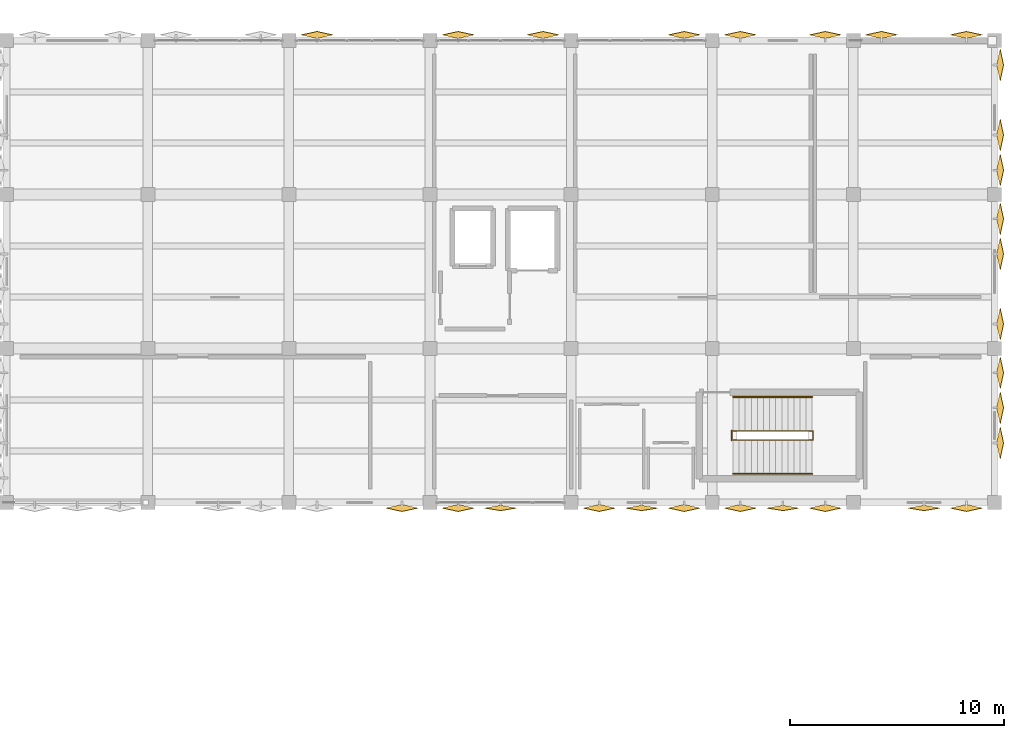
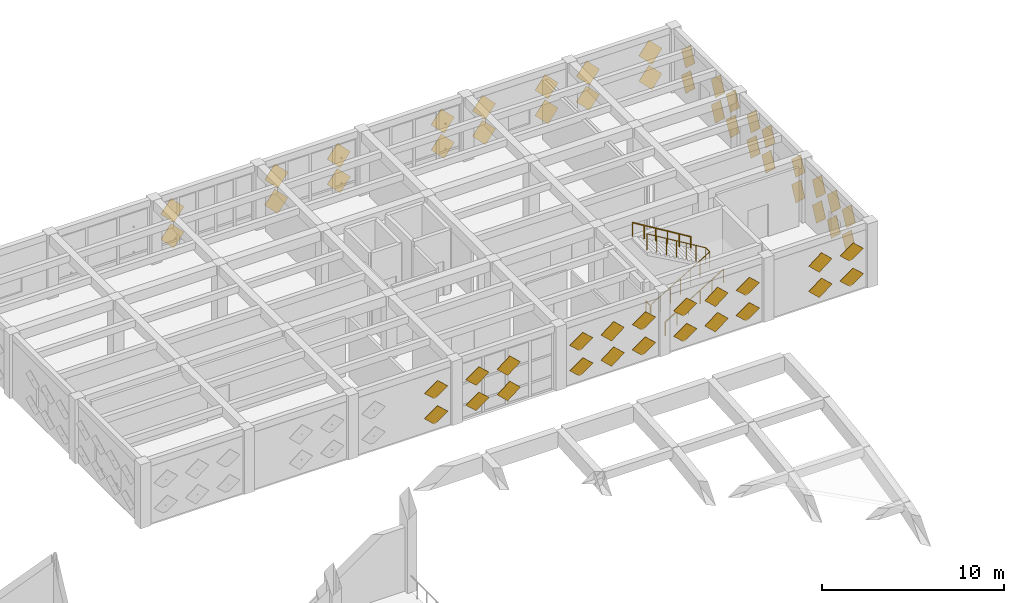
# One storey, part 67 of 67: 56 coverings, 4 railings.
"""IFC4 building model written with IfcOpenShell, lengths in metres."""

from ifc_helpers import new_model, si_unit, direction, frame, origin, origin_2d, place, context, subcontext, project, spatial, polyline, circle, outline, extrude, material, type_object, element, save


model = new_model("IFC4")

# Units and contexts
model_context = context("Model", 3, precision=1e-05, world=origin(), true_north=direction((0.0, 1.0)))
body_context = subcontext(model_context, "Body", "Model", "MODEL_VIEW")
ifc_project = project(units=[si_unit("LENGTHUNIT", "METRE"), si_unit("AREAUNIT", "SQUARE_METRE"), si_unit("VOLUMEUNIT", "CUBIC_METRE"), si_unit("PLANEANGLEUNIT", "RADIAN"), si_unit("MASSUNIT", "GRAM", prefix="KILO")], contexts=[model_context])

# Site, building, storey
site_placement = place(None, origin())
site = spatial("IfcSite", under=ifc_project, at=site_placement, CompositionType="ELEMENT")
building_placement = place(site_placement, origin())
building = spatial("IfcBuilding", under=site, at=building_placement, Name="Kharisveld Research Institute", CompositionType="ELEMENT")
storey_placement = place(building_placement, frame((0.0, 0.0, 9.60009765625)))
storey = spatial("IfcBuildingStorey", under=building, at=storey_placement, Name="L02", CompositionType="ELEMENT", Elevation=9.60009765625)

# Railings
ifc_material_1 = material(Name="Steel S355JR", Category="steel")
railing_type_1 = type_object("IfcRailingType", Name="RL_GRD_STR", PredefinedType="GUARDRAIL", material=ifc_material_1)
railing_1_placement = place(storey_placement, frame((148.570068359375, 42.110107421875, 0.0)))
element("IfcRailing", 1, at=railing_1_placement, inside=storey, type_object=railing_type_1, Name="RLG:ST3:L02:GRD_SLOT", PredefinedType="GUARDRAIL", context=body_context, shape_type="SweptSolid", body=[
    extrude(circle(Radius=0.02392578125, at=origin_2d()), frame((0.0, 0.0, 1.09619140625), z_axis=(0.857182128291, 0.0, 0.515013396853), x_axis=(0.0, 1.0, 0.0)), (0.0, 0.0, 1.0), 4.368896484375),
    extrude(circle(Radius=0.02392578125, at=origin_2d()), frame((3.744873046875, 0.0, 3.34619140625), z_axis=(0.0, 1.0, 0.0), x_axis=(-1.0, 0.0, 0.0)), (0.0, 0.0, 1.0), 0.43994140625),
    extrude(circle(Radius=0.02392578125, at=origin_2d()), frame((3.744873046875, 0.43994140625, 3.34619140625), z_axis=(-0.857182128291, 0.0, 0.515013396853), x_axis=(0.0, -1.0, 0.0)), (0.0, 0.0, 1.0), 4.368896484375),
    extrude(circle(Radius=0.02099609375, at=origin_2d()), origin(), (0.0, 0.0, 1.0), 1.072021484375),
    extrude(circle(Radius=0.02099609375, at=origin_2d()), frame((0.6240234375, 0.0, 0.375)), (0.0, 0.0, 1.0), 1.072021484375),
    extrude(circle(Radius=0.02099609375, at=origin_2d()), frame((1.248291015625, 0.0, 0.75)), (0.0, 0.0, 1.0), 1.072021484375),
    extrude(circle(Radius=0.02099609375, at=origin_2d()), frame((1.87255859375, 0.0, 1.125)), (0.0, 0.0, 1.0), 1.072021484375),
    extrude(circle(Radius=0.02099609375, at=origin_2d()), frame((2.49658203125, 0.0, 1.5)), (0.0, 0.0, 1.0), 1.072021484375),
    extrude(circle(Radius=0.02099609375, at=origin_2d()), frame((3.12060546875, 0.0, 1.875)), (0.0, 0.0, 1.0), 1.072021484375),
    extrude(circle(Radius=0.02099609375, at=origin_2d()), frame((3.744873046875, 0.0, 2.25)), (0.0, 0.0, 1.0), 1.072021484375),
    extrude(circle(Radius=0.02099609375, at=origin_2d()), frame((3.744873046875, 0.43994140625, 2.25)), (0.0, 0.0, 1.0), 1.072021484375),
    extrude(circle(Radius=0.02099609375, at=origin_2d()), frame((3.12060546875, 0.43994140625, 2.625)), (0.0, 0.0, 1.0), 1.072021484375),
    extrude(circle(Radius=0.02099609375, at=origin_2d()), frame((2.49658203125, 0.43994140625, 3.0)), (0.0, 0.0, 1.0), 1.072021484375),
    extrude(circle(Radius=0.02099609375, at=origin_2d()), frame((1.87255859375, 0.43994140625, 3.375)), (0.0, 0.0, 1.0), 1.072021484375),
    extrude(circle(Radius=0.02099609375, at=origin_2d()), frame((1.248291015625, 0.43994140625, 3.75)), (0.0, 0.0, 1.0), 1.072021484375),
    extrude(circle(Radius=0.02099609375, at=origin_2d()), frame((0.6240234375, 0.43994140625, 4.125)), (0.0, 0.0, 1.0), 1.072021484375),
    extrude(circle(Radius=0.02099609375, at=origin_2d()), frame((0.0, 0.43994140625, 4.5)), (0.0, 0.0, 1.0), 1.072021484375),
])
railing_2_placement = place(storey_placement, frame((148.510009765625, 42.110107421875, 0.0)))
element("IfcRailing", 2, at=railing_2_placement, inside=storey, type_object=railing_type_1, Name="RLG:ST3:L02:GRD_FLRSLOT", PredefinedType="GUARDRAIL", context=body_context, shape_type="SweptSolid", body=[
    extrude(circle(Radius=0.02392578125, at=origin_2d()), frame((0.0, 0.0, 1.09619140625), z_axis=(0.0, 1.0, 0.0), x_axis=(-1.0, 0.0, 0.0)), (0.0, 0.0, 1.0), 0.43994140625),
    extrude(circle(Radius=0.02099609375, at=origin_2d()), origin(), (0.0, 0.0, 1.0), 1.072021484375),
    extrude(circle(Radius=0.02099609375, at=origin_2d()), frame((0.0, 0.43994140625, 0.0)), (0.0, 0.0, 1.0), 1.072021484375),
])
ifc_material_2 = material(Name="Stainless Steel 316", Category="steel")
railing_type_2 = type_object("IfcRailingType", Name="RL_HND_STR", PredefinedType="HANDRAIL", material=ifc_material_2)
railing_3_placement = place(storey_placement, frame((148.570068359375, 40.530029296875, 0.0)))
element("IfcRailing", 3, at=railing_3_placement, inside=storey, type_object=railing_type_2, Name="RLG:ST3:L02:HR1", PredefinedType="HANDRAIL", context=body_context, shape_type="SweptSolid", body=[
    extrude(circle(Radius=0.02392578125, at=origin_2d()), frame((0.0, 0.0, 0.89599609375), z_axis=(0.854722365387, 0.0, 0.519085424673), x_axis=(0.0, 1.0, 0.0)), (0.0, 0.0, 1.0), 4.33447265625),
    extrude(circle(Radius=0.02099609375, at=origin_2d()), origin(), (0.0, 0.0, 1.0), 0.871826171875),
    extrude(circle(Radius=0.02099609375, at=origin_2d()), frame((0.740966796875, 0.0, 0.449951171875)), (0.0, 0.0, 1.0), 0.871826171875),
    extrude(circle(Radius=0.02099609375, at=origin_2d()), frame((1.48193359375, 0.0, 0.89990234375)), (0.0, 0.0, 1.0), 0.871826171875),
    extrude(circle(Radius=0.02099609375, at=origin_2d()), frame((2.222900390625, 0.0, 1.35009765625)), (0.0, 0.0, 1.0), 0.871826171875),
    extrude(circle(Radius=0.02099609375, at=origin_2d()), frame((2.9638671875, 0.0, 1.800048828125)), (0.0, 0.0, 1.0), 0.871826171875),
    extrude(circle(Radius=0.02099609375, at=origin_2d()), frame((3.704833984375, 0.0, 2.25)), (0.0, 0.0, 1.0), 0.871826171875),
])
railing_4_placement = place(storey_placement, frame((152.27490234375, 44.1298828125, 2.25)))
element("IfcRailing", 4, at=railing_4_placement, inside=storey, type_object=railing_type_2, Name="RLG:ST3:L02:HR2", PredefinedType="HANDRAIL", context=body_context, shape_type="SweptSolid", body=[
    extrude(circle(Radius=0.02392578125, at=origin_2d()), frame((0.0, 0.0, 0.89599609375), z_axis=(-0.854722365387, 0.0, 0.519085424673), x_axis=(0.0, -1.0, 0.0)), (0.0, 0.0, 1.0), 4.33447265625),
    extrude(circle(Radius=0.02099609375, at=origin_2d()), origin(), (0.0, 0.0, 1.0), 0.871826171875),
    extrude(circle(Radius=0.02099609375, at=origin_2d()), frame((-0.740966796875, 0.0, 0.449951171875)), (0.0, 0.0, 1.0), 0.871826171875),
    extrude(circle(Radius=0.02099609375, at=origin_2d()), frame((-1.48193359375, 0.0, 0.89990234375)), (0.0, 0.0, 1.0), 0.871826171875),
    extrude(circle(Radius=0.02099609375, at=origin_2d()), frame((-2.222900390625, 0.0, 1.35009765625)), (0.0, 0.0, 1.0), 0.871826171875),
    extrude(circle(Radius=0.02099609375, at=origin_2d()), frame((-2.9638671875, 0.0, 1.800048828125)), (0.0, 0.0, 1.0), 0.871826171875),
    extrude(circle(Radius=0.02099609375, at=origin_2d()), frame((-3.704833984375, 0.0, 2.25)), (0.0, 0.0, 1.0), 0.871826171875),
])

# Coverings
ifc_material_3 = material(Name="White Powder-Coated Perforated Aluminium", Category="aluminium")
covering_type = type_object("IfcCoveringType", Name="CV_DIA_105", PredefinedType="CLADDING")
for number, where, z_axis, x_axis, name in (
    (5, (129.11328125, 60.8994140625, 0.324951171875), (0.0, -0.97631069788, 0.216373337556), (0.707102116981, 0.153000063457, 0.6903604687), "SHD:V2:L02:N2:S0C0"),
    (6, (129.11328125, 60.8994140625, 2.025146484375), (0.0, -0.97631069788, 0.216373337556), (0.707102116981, 0.153000063457, 0.6903604687), "SHD:V2:L02:N2:S0C1"),
    (7, (135.71337890625, 60.8994140625, 0.324951171875), (0.0, -0.97631069788, 0.216373337556), (0.707102116981, 0.153000063457, 0.6903604687), "SHD:V2:L02:N3:S0C0"),
    (8, (135.71337890625, 60.8994140625, 2.025146484375), (0.0, -0.97631069788, 0.216373337556), (0.707102116981, 0.153000063457, 0.6903604687), "SHD:V2:L02:N3:S0C1"),
):
    element("IfcCovering", number, at=place(storey_placement, frame(where, z_axis=z_axis, x_axis=x_axis)), inside=storey, type_object=covering_type, material=ifc_material_3, Name=name, PredefinedType="CLADDING", context=body_context, shape_type="SweptSolid", body=[
        extrude(outline(polyline([(0.0, 0.0), (1.0499638210603182, 0.0), (1.0499776725217052, 1.0499638209689517), (1.3851461386993336e-05, 1.0499638209689517), (0.0, 0.0)])), origin(), (0.0, 0.0, -1.0), 0.02392578125),
    ])
for number, where, z_axis, x_axis, name in (
    (9, (139.686767578125, 60.8994140625, 0.324951171875), (0.0, -0.97631069788, 0.216373337556), (0.707102116981, 0.153000063457, 0.6903604687), "SHD:V2:L02:N3:S2C0"),
    (10, (139.686767578125, 60.8994140625, 2.025146484375), (0.0, -0.97631069788, 0.216373337556), (0.707102116981, 0.153000063457, 0.6903604687), "SHD:V2:L02:N3:S2C1"),
):
    element("IfcCovering", number, at=place(storey_placement, frame(where, z_axis=z_axis, x_axis=x_axis)), inside=storey, type_object=covering_type, material=ifc_material_3, Name=name, PredefinedType="CLADDING", context=body_context, shape_type="SweptSolid", body=[
        extrude(outline(polyline([(0.0, 0.0), (1.0499638210603182, 0.0), (1.0499776725217052, 1.0499638209689517), (-0.00015878089139154117, 1.050136455599167), (0.0, 0.0)])), origin(), (0.0, 0.0, -1.0), 0.02392578125),
    ])
for number, where, z_axis, x_axis, name in (
    (11, (146.28662109375, 60.8994140625, 0.324951171875), (0.0, -0.97631069788, 0.216373337556), (0.707102116981, 0.153000063457, 0.6903604687), "SHD:V2:L02:N4:S2C0"),
    (12, (146.28662109375, 60.8994140625, 2.025146484375), (0.0, -0.97631069788, 0.216373337556), (0.707102116981, 0.153000063457, 0.6903604687), "SHD:V2:L02:N4:S2C1"),
    (13, (148.913330078125, 60.8994140625, 0.324951171875), (0.0, -0.97631069788, 0.216373337556), (0.707102116981, 0.153000063457, 0.6903604687), "SHD:V2:L02:N5:S0C0"),
    (14, (148.913330078125, 60.8994140625, 2.025146484375), (0.0, -0.97631069788, 0.216373337556), (0.707102116981, 0.153000063457, 0.6903604687), "SHD:V2:L02:N5:S0C1"),
    (15, (152.88671875, 60.8994140625, 0.324951171875), (0.0, -0.97631069788, 0.216373337556), (0.707102116981, 0.153000063457, 0.6903604687), "SHD:V2:L02:N5:S2C0"),
    (16, (152.88671875, 60.8994140625, 2.025146484375), (0.0, -0.97631069788, 0.216373337556), (0.707102116981, 0.153000063457, 0.6903604687), "SHD:V2:L02:N5:S2C1"),
):
    element("IfcCovering", number, at=place(storey_placement, frame(where, z_axis=z_axis, x_axis=x_axis)), inside=storey, type_object=covering_type, material=ifc_material_3, Name=name, PredefinedType="CLADDING", context=body_context, shape_type="SweptSolid", body=[
        extrude(outline(polyline([(0.0, 0.0), (1.0499638210603182, 0.0), (1.0499776725217052, 1.0499638209689517), (1.3851461386993336e-05, 1.0499638209689517), (0.0, 0.0)])), origin(), (0.0, 0.0, -1.0), 0.02392578125),
    ])
for number, where, z_axis, x_axis, name in (
    (17, (155.513427734375, 60.8994140625, 0.324951171875), (0.0, -0.97631069788, 0.216373337556), (0.707102116981, 0.153000063457, 0.6903604687), "SHD:V2:L02:N6:S0C0"),
    (18, (155.513427734375, 60.8994140625, 2.025146484375), (0.0, -0.97631069788, 0.216373337556), (0.707102116981, 0.153000063457, 0.6903604687), "SHD:V2:L02:N6:S0C1"),
):
    element("IfcCovering", number, at=place(storey_placement, frame(where, z_axis=z_axis, x_axis=x_axis)), inside=storey, type_object=covering_type, material=ifc_material_3, Name=name, PredefinedType="CLADDING", context=body_context, shape_type="SweptSolid", body=[
        extrude(outline(polyline([(0.0, 0.0), (1.0499638210603182, 0.0), (1.0499776725217052, 1.0499638209689517), (-0.00015878089139154117, 1.050136455599167), (0.0, 0.0)])), origin(), (0.0, 0.0, -1.0), 0.02392578125),
    ])
for number, where, z_axis, x_axis, name in (
    (19, (159.486572265625, 60.8994140625, 0.324951171875), (0.0, -0.97631069788, 0.216373337556), (0.707218351292, 0.152974909648, 0.690246970738), "SHD:V2:L02:N6:S2C0"),
    (20, (159.486572265625, 60.8994140625, 2.025146484375), (0.0, -0.97631069788, 0.216373337556), (0.707218351292, 0.152974909648, 0.690246970738), "SHD:V2:L02:N6:S2C1"),
):
    element("IfcCovering", number, at=place(storey_placement, frame(where, z_axis=z_axis, x_axis=x_axis)), inside=storey, type_object=covering_type, material=ifc_material_3, Name=name, PredefinedType="CLADDING", context=body_context, shape_type="SweptSolid", body=[
        extrude(outline(polyline([(0.0, 0.0), (1.0501364676030216, 1.1102230246251565e-16), (1.0498050520855338, 1.0501364153068435), (-0.00015875478719196146, 1.0499638090584367), (0.0, 0.0)])), origin(), (0.0, 0.0, -1.0), 0.02392578125),
    ])
for number, where, z_axis, x_axis, name in (
    (21, (160.8994140625, 59.659912109375, 0.324951171875), (-0.97631069788, 0.0, 0.216373337556), (0.153000063457, -0.707102116981, 0.6903604687), "SHD:V2:L02:E3:S0C0"),
    (22, (160.8994140625, 59.659912109375, 2.025146484375), (-0.97631069788, 0.0, 0.216373337556), (0.153000063457, -0.707102116981, 0.6903604687), "SHD:V2:L02:E3:S0C1"),
):
    element("IfcCovering", number, at=place(storey_placement, frame(where, z_axis=z_axis, x_axis=x_axis)), inside=storey, type_object=covering_type, material=ifc_material_3, Name=name, PredefinedType="CLADDING", context=body_context, shape_type="SweptSolid", body=[
        extrude(outline(polyline([(0.0, 0.0), (1.0499638210603182, 0.0), (1.0499776725217052, 1.0499638209689517), (1.3851461386993336e-05, 1.0499638209689517), (0.0, 0.0)])), origin(), (0.0, 0.0, -1.0), 0.02392578125),
    ])
for number, where, z_axis, x_axis, name in (
    (23, (160.8994140625, 56.3798828125, 0.324951171875), (-0.97631069788, 0.0, 0.216373337556), (0.153000063457, -0.707102116981, 0.6903604687), "SHD:V2:L02:E3:S2C0"),
    (24, (160.8994140625, 56.3798828125, 2.025146484375), (-0.97631069788, 0.0, 0.216373337556), (0.153000063457, -0.707102116981, 0.6903604687), "SHD:V2:L02:E3:S2C1"),
):
    element("IfcCovering", number, at=place(storey_placement, frame(where, z_axis=z_axis, x_axis=x_axis)), inside=storey, type_object=covering_type, material=ifc_material_3, Name=name, PredefinedType="CLADDING", context=body_context, shape_type="SweptSolid", body=[
        extrude(outline(polyline([(0.0, 0.0), (1.0499638210603182, 0.0), (1.0499776725217052, 1.0499638209689517), (-0.00015878089139154117, 1.050136455599167), (0.0, 0.0)])), origin(), (0.0, 0.0, -1.0), 0.02392578125),
    ])
for number, where, z_axis, x_axis, name in (
    (25, (160.8994140625, 54.739990234375, 0.324951171875), (-0.97631069788, 0.0, 0.216373337556), (0.153000063457, -0.707102116981, 0.6903604687), "SHD:V2:L02:E3:S3C0"),
    (26, (160.8994140625, 54.739990234375, 2.025146484375), (-0.97631069788, 0.0, 0.216373337556), (0.153000063457, -0.707102116981, 0.6903604687), "SHD:V2:L02:E3:S3C1"),
    (27, (160.8994140625, 52.4599609375, 0.324951171875), (-0.97631069788, 0.0, 0.216373337556), (0.153000063457, -0.707102116981, 0.6903604687), "SHD:V2:L02:E2:S0C0"),
    (28, (160.8994140625, 52.4599609375, 2.025146484375), (-0.97631069788, 0.0, 0.216373337556), (0.153000063457, -0.707102116981, 0.6903604687), "SHD:V2:L02:E2:S0C1"),
    (29, (160.8994140625, 50.820068359375, 0.324951171875), (-0.97631069788, 0.0, 0.216373337556), (0.153000063457, -0.707102116981, 0.6903604687), "SHD:V2:L02:E2:S1C0"),
    (30, (160.8994140625, 50.820068359375, 2.025146484375), (-0.97631069788, 0.0, 0.216373337556), (0.153000063457, -0.707102116981, 0.6903604687), "SHD:V2:L02:E2:S1C1"),
    (31, (160.8994140625, 47.5400390625, 0.324951171875), (-0.97631069788, 0.0, 0.216373337556), (0.153000063457, -0.707102116981, 0.6903604687), "SHD:V2:L02:E2:S3C0"),
    (32, (160.8994140625, 47.5400390625, 2.025146484375), (-0.97631069788, 0.0, 0.216373337556), (0.153000063457, -0.707102116981, 0.6903604687), "SHD:V2:L02:E2:S3C1"),
    (33, (160.8994140625, 45.260009765625, 0.324951171875), (-0.97631069788, 0.0, 0.216373337556), (0.153000063457, -0.707102116981, 0.6903604687), "SHD:V2:L02:E1:S0C0"),
    (34, (160.8994140625, 45.260009765625, 2.025146484375), (-0.97631069788, 0.0, 0.216373337556), (0.153000063457, -0.707102116981, 0.6903604687), "SHD:V2:L02:E1:S0C1"),
):
    element("IfcCovering", number, at=place(storey_placement, frame(where, z_axis=z_axis, x_axis=x_axis)), inside=storey, type_object=covering_type, material=ifc_material_3, Name=name, PredefinedType="CLADDING", context=body_context, shape_type="SweptSolid", body=[
        extrude(outline(polyline([(0.0, 0.0), (1.0499638210603182, 0.0), (1.0499776725217052, 1.0499638209689517), (1.3851461386993336e-05, 1.0499638209689517), (0.0, 0.0)])), origin(), (0.0, 0.0, -1.0), 0.02392578125),
    ])
for number, where, z_axis, x_axis, name in (
    (35, (160.8994140625, 43.6201171875, 0.324951171875), (-0.97631069788, 0.0, 0.216373337556), (0.152974909648, -0.707218351292, 0.690246970738), "SHD:V2:L02:E1:S1C0"),
    (36, (160.8994140625, 43.6201171875, 2.025146484375), (-0.97631069788, 0.0, 0.216373337556), (0.152974909648, -0.707218351292, 0.690246970738), "SHD:V2:L02:E1:S1C1"),
):
    element("IfcCovering", number, at=place(storey_placement, frame(where, z_axis=z_axis, x_axis=x_axis)), inside=storey, type_object=covering_type, material=ifc_material_3, Name=name, PredefinedType="CLADDING", context=body_context, shape_type="SweptSolid", body=[
        extrude(outline(polyline([(0.0, 0.0), (1.0501364676030216, 1.1102230246251565e-16), (1.0498050520855338, 1.0501364153068435), (-0.00015875478719196146, 1.0499638090584367), (0.0, 0.0)])), origin(), (0.0, 0.0, -1.0), 0.02392578125),
    ])
for number, where, z_axis, x_axis, name in (
    (37, (160.8994140625, 41.97998046875, 0.324951171875), (-0.97631069788, 0.0, 0.216373337556), (0.153000063457, -0.707102116981, 0.6903604687), "SHD:V2:L02:E1:S2C0"),
    (38, (160.8994140625, 41.97998046875, 2.025146484375), (-0.97631069788, 0.0, 0.216373337556), (0.153000063457, -0.707102116981, 0.6903604687), "SHD:V2:L02:E1:S2C1"),
):
    element("IfcCovering", number, at=place(storey_placement, frame(where, z_axis=z_axis, x_axis=x_axis)), inside=storey, type_object=covering_type, material=ifc_material_3, Name=name, PredefinedType="CLADDING", context=body_context, shape_type="SweptSolid", body=[
        extrude(outline(polyline([(0.0, 0.0), (1.0499638210603182, 0.0), (1.0499776725217052, 1.0499638209689517), (1.3851461386993336e-05, 1.0499638209689517), (0.0, 0.0)])), origin(), (0.0, 0.0, -1.0), 0.02392578125),
    ])
for number, where, z_axis, x_axis, name in (
    (39, (159.486572265625, 39.1005859375, 0.324951171875), (0.0, 0.97631069788, 0.216373337556), (-0.707102116981, -0.153000063457, 0.6903604687), "SHD:V2:L02:S7:S0C0"),
    (40, (159.486572265625, 39.1005859375, 2.025146484375), (0.0, 0.97631069788, 0.216373337556), (-0.707102116981, -0.153000063457, 0.6903604687), "SHD:V2:L02:S7:S0C1"),
):
    element("IfcCovering", number, at=place(storey_placement, frame(where, z_axis=z_axis, x_axis=x_axis)), inside=storey, type_object=covering_type, material=ifc_material_3, Name=name, PredefinedType="CLADDING", context=body_context, shape_type="SweptSolid", body=[
        extrude(outline(polyline([(0.0, 0.0), (1.0499638210603182, 0.0), (1.0499776725217052, 1.0499638209689517), (-0.00015878089139154117, 1.050136455599167), (0.0, 0.0)])), origin(), (0.0, 0.0, -1.0), 0.02392578125),
    ])
covering_1_placement = place(storey_placement, frame((157.5, 39.0625, 0.317626953125), z_axis=(0.0, 0.986282612269, 0.165065468031), x_axis=(-0.707138821552, -0.116713622787, 0.697375521014)))
element("IfcCovering", 41, at=covering_1_placement, inside=storey, type_object=covering_type, material=ifc_material_3, Name="SHD:V2:L02:S7:S1C0", PredefinedType="CLADDING", context=body_context, shape_type="SweptSolid", body=[
    extrude(outline(polyline([(0.0, 0.0), (1.049909321899567, 0.0), (1.0499844306250534, 1.0500795907141018), (-9.51489700736774e-05, 1.049909317588087), (0.0, 0.0)])), origin(), (0.0, 0.0, -1.0), 0.02392578125),
])
covering_2_placement = place(storey_placement, frame((157.5, 39.0625, 2.017578125), z_axis=(0.0, 0.986282612269, 0.165065468031), x_axis=(-0.707024158255, -0.116732548384, 0.697488603341)))
element("IfcCovering", 42, at=covering_2_placement, inside=storey, type_object=covering_type, material=ifc_material_3, Name="SHD:V2:L02:S7:S1C1", PredefinedType="CLADDING", context=body_context, shape_type="SweptSolid", body=[
    extrude(outline(polyline([(0.0, 0.0), (1.0500795934002414, -1.1102230246251565e-16), (1.0501546899467695, 1.0499093192138629), (0.0002453818500782745, 1.0500795647299133), (0.0, 0.0)])), origin(), (0.0, 0.0, -1.0), 0.02392578125),
])
for number, where, z_axis, x_axis, name in (
    (43, (152.88671875, 39.1005859375, 0.324951171875), (0.0, 0.97631069788, 0.216373337556), (-0.707102116981, -0.153000063457, 0.6903604687), "SHD:V2:L02:S6:S0C0"),
    (44, (152.88671875, 39.1005859375, 2.025146484375), (0.0, 0.97631069788, 0.216373337556), (-0.707102116981, -0.153000063457, 0.6903604687), "SHD:V2:L02:S6:S0C1"),
):
    element("IfcCovering", number, at=place(storey_placement, frame(where, z_axis=z_axis, x_axis=x_axis)), inside=storey, type_object=covering_type, material=ifc_material_3, Name=name, PredefinedType="CLADDING", context=body_context, shape_type="SweptSolid", body=[
        extrude(outline(polyline([(0.0, 0.0), (1.0499638210603182, 0.0), (1.0499776725217052, 1.0499638209689517), (1.3851461386993336e-05, 1.0499638209689517), (0.0, 0.0)])), origin(), (0.0, 0.0, -1.0), 0.02392578125),
    ])
covering_3_placement = place(storey_placement, frame((150.89990234375, 39.0625, 0.317626953125), z_axis=(0.0, 0.986282612269, 0.165065468031), x_axis=(-0.707138821552, -0.116713622787, 0.697375521014)))
element("IfcCovering", 45, at=covering_3_placement, inside=storey, type_object=covering_type, material=ifc_material_3, Name="SHD:V2:L02:S6:S1C0", PredefinedType="CLADDING", context=body_context, shape_type="SweptSolid", body=[
    extrude(outline(polyline([(0.0, 0.0), (1.049909321899567, 0.0), (1.0499844306250534, 1.0500795907141018), (-0.0002677902839293145, 1.0500819432568782), (0.0, 0.0)])), origin(), (0.0, 0.0, -1.0), 0.02392578125),
])
covering_4_placement = place(storey_placement, frame((150.89990234375, 39.0625, 2.017578125), z_axis=(0.0, 0.986282612269, 0.165065468031), x_axis=(-0.707024158255, -0.116732548384, 0.697488603341)))
element("IfcCovering", 46, at=covering_4_placement, inside=storey, type_object=covering_type, material=ifc_material_3, Name="SHD:V2:L02:S6:S1C1", PredefinedType="CLADDING", context=body_context, shape_type="SweptSolid", body=[
    extrude(outline(polyline([(0.0, 0.0), (1.0500795934002414, -1.1102230246251565e-16), (1.0501546899467695, 1.0499093192138629), (7.276853019166918e-05, 1.050252218390671), (0.0, 0.0)])), origin(), (0.0, 0.0, -1.0), 0.02392578125),
])
for number, where, z_axis, x_axis, name in (
    (47, (148.913330078125, 39.1005859375, 0.324951171875), (0.0, 0.97631069788, 0.216373337556), (-0.707102116981, -0.153000063457, 0.6903604687), "SHD:V2:L02:S6:S2C0"),
    (48, (148.913330078125, 39.1005859375, 2.025146484375), (0.0, 0.97631069788, 0.216373337556), (-0.707102116981, -0.153000063457, 0.6903604687), "SHD:V2:L02:S6:S2C1"),
    (49, (146.28662109375, 39.1005859375, 0.324951171875), (0.0, 0.97631069788, 0.216373337556), (-0.707102116981, -0.153000063457, 0.6903604687), "SHD:V2:L02:S5:S0C0"),
    (50, (146.28662109375, 39.1005859375, 2.025146484375), (0.0, 0.97631069788, 0.216373337556), (-0.707102116981, -0.153000063457, 0.6903604687), "SHD:V2:L02:S5:S0C1"),
):
    element("IfcCovering", number, at=place(storey_placement, frame(where, z_axis=z_axis, x_axis=x_axis)), inside=storey, type_object=covering_type, material=ifc_material_3, Name=name, PredefinedType="CLADDING", context=body_context, shape_type="SweptSolid", body=[
        extrude(outline(polyline([(0.0, 0.0), (1.0499638210603182, 0.0), (1.0499776725217052, 1.0499638209689517), (1.3851461386993336e-05, 1.0499638209689517), (0.0, 0.0)])), origin(), (0.0, 0.0, -1.0), 0.02392578125),
    ])
covering_5_placement = place(storey_placement, frame((144.300048828125, 39.0625, 0.317626953125), z_axis=(0.0, 0.986282612269, 0.165065468031), x_axis=(-0.707138821552, -0.116713622787, 0.697375521014)))
element("IfcCovering", 51, at=covering_5_placement, inside=storey, type_object=covering_type, material=ifc_material_3, Name="SHD:V2:L02:S5:S1C0", PredefinedType="CLADDING", context=body_context, shape_type="SweptSolid", body=[
    extrude(outline(polyline([(0.0, 0.0), (1.049909321899567, 0.0), (1.0499844306250534, 1.0500795907141018), (-9.51489700736774e-05, 1.049909317588087), (0.0, 0.0)])), origin(), (0.0, 0.0, -1.0), 0.02392578125),
])
covering_6_placement = place(storey_placement, frame((144.300048828125, 39.0625, 2.017578125), z_axis=(0.0, 0.986282612269, 0.165065468031), x_axis=(-0.707024158255, -0.116732548384, 0.697488603341)))
element("IfcCovering", 52, at=covering_6_placement, inside=storey, type_object=covering_type, material=ifc_material_3, Name="SHD:V2:L02:S5:S1C1", PredefinedType="CLADDING", context=body_context, shape_type="SweptSolid", body=[
    extrude(outline(polyline([(0.0, 0.0), (1.0500795934002414, -1.1102230246251565e-16), (1.0501546899467695, 1.0499093192138629), (0.0002453818500782745, 1.0500795647299133), (0.0, 0.0)])), origin(), (0.0, 0.0, -1.0), 0.02392578125),
])
for number, where, z_axis, x_axis, name in (
    (53, (142.313232421875, 39.1005859375, 0.324951171875), (0.0, 0.97631069788, 0.216373337556), (-0.707102116981, -0.153000063457, 0.6903604687), "SHD:V2:L02:S5:S2C0"),
    (54, (142.313232421875, 39.1005859375, 2.025146484375), (0.0, 0.97631069788, 0.216373337556), (-0.707102116981, -0.153000063457, 0.6903604687), "SHD:V2:L02:S5:S2C1"),
):
    element("IfcCovering", number, at=place(storey_placement, frame(where, z_axis=z_axis, x_axis=x_axis)), inside=storey, type_object=covering_type, material=ifc_material_3, Name=name, PredefinedType="CLADDING", context=body_context, shape_type="SweptSolid", body=[
        extrude(outline(polyline([(0.0, 0.0), (1.0499638210603182, 0.0), (1.0499776725217052, 1.0499638209689517), (-0.00015878089139154117, 1.050136455599167), (0.0, 0.0)])), origin(), (0.0, 0.0, -1.0), 0.02392578125),
    ])
covering_7_placement = place(storey_placement, frame((137.699951171875, 39.0625, 0.317626953125), z_axis=(0.0, 0.986282612269, 0.165065468031), x_axis=(-0.707138821552, -0.116713622787, 0.697375521014)))
element("IfcCovering", 55, at=covering_7_placement, inside=storey, type_object=covering_type, material=ifc_material_3, Name="SHD:V2:L02:S4:S1C0", PredefinedType="CLADDING", context=body_context, shape_type="SweptSolid", body=[
    extrude(outline(polyline([(0.0, 0.0), (1.049909321899567, 0.0), (1.0499844306250534, 1.0500795907141018), (-9.51489700736774e-05, 1.049909317588087), (0.0, 0.0)])), origin(), (0.0, 0.0, -1.0), 0.02392578125),
])
covering_8_placement = place(storey_placement, frame((137.699951171875, 39.0625, 2.017578125), z_axis=(0.0, 0.986282612269, 0.165065468031), x_axis=(-0.707024158255, -0.116732548384, 0.697488603341)))
element("IfcCovering", 56, at=covering_8_placement, inside=storey, type_object=covering_type, material=ifc_material_3, Name="SHD:V2:L02:S4:S1C1", PredefinedType="CLADDING", context=body_context, shape_type="SweptSolid", body=[
    extrude(outline(polyline([(0.0, 0.0), (1.0500795934002414, -1.1102230246251565e-16), (1.0501546899467695, 1.0499093192138629), (0.0002453818500782745, 1.0500795647299133), (0.0, 0.0)])), origin(), (0.0, 0.0, -1.0), 0.02392578125),
])
for number, where, z_axis, x_axis, name in (
    (57, (135.71337890625, 39.1005859375, 0.324951171875), (0.0, 0.97631069788, 0.216373337556), (-0.707102116981, -0.153000063457, 0.6903604687), "SHD:V2:L02:S4:S2C0"),
    (58, (135.71337890625, 39.1005859375, 2.025146484375), (0.0, 0.97631069788, 0.216373337556), (-0.707102116981, -0.153000063457, 0.6903604687), "SHD:V2:L02:S4:S2C1"),
    (59, (133.086669921875, 39.1005859375, 0.324951171875), (0.0, 0.97631069788, 0.216373337556), (-0.707102116981, -0.153000063457, 0.6903604687), "SHD:V2:L02:S3:S0C0"),
    (60, (133.086669921875, 39.1005859375, 2.025146484375), (0.0, 0.97631069788, 0.216373337556), (-0.707102116981, -0.153000063457, 0.6903604687), "SHD:V2:L02:S3:S0C1"),
):
    element("IfcCovering", number, at=place(storey_placement, frame(where, z_axis=z_axis, x_axis=x_axis)), inside=storey, type_object=covering_type, material=ifc_material_3, Name=name, PredefinedType="CLADDING", context=body_context, shape_type="SweptSolid", body=[
        extrude(outline(polyline([(0.0, 0.0), (1.0499638210603182, 0.0), (1.0499776725217052, 1.0499638209689517), (1.3851461386993336e-05, 1.0499638209689517), (0.0, 0.0)])), origin(), (0.0, 0.0, -1.0), 0.02392578125),
    ])

save(model, "model.ifc")
